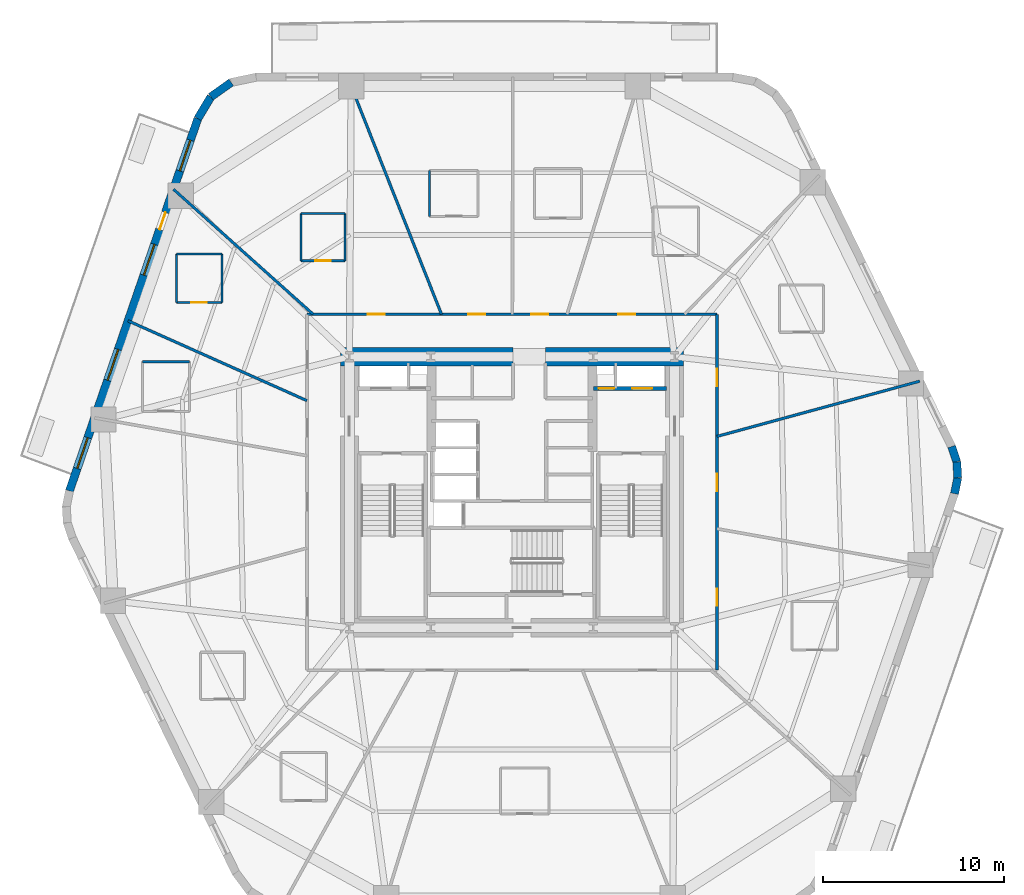
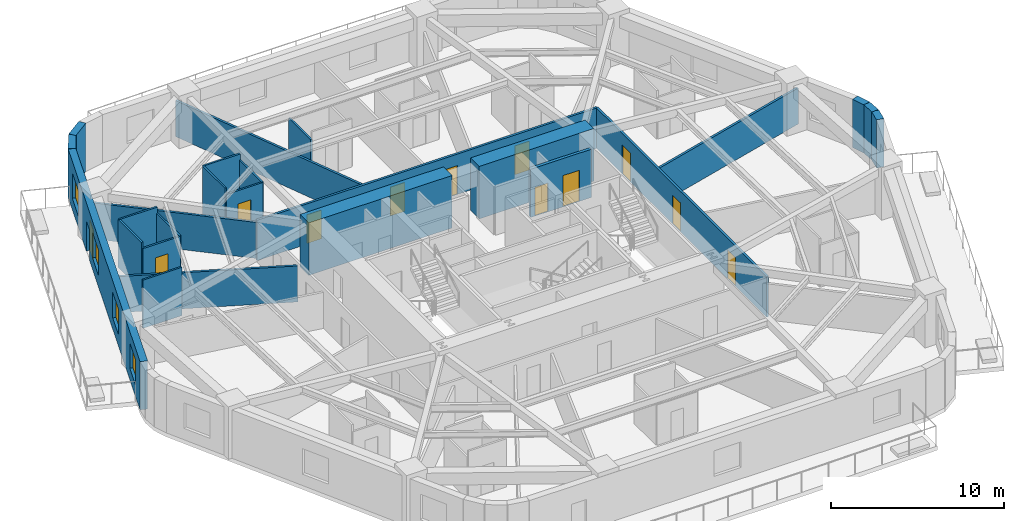
# One storey, part 5 of 10: 25 walls, 12 doors, 4 windows, 16 openings.
"""IFC4 building model written with IfcOpenShell, lengths in metres."""

from ifc_helpers import new_model, si_unit, direction, frame, frame_2d, origin, place, context, subcontext, project, spatial, rectangle, extrude, material, layer, layer_set, type_object, element, fill, save


model = new_model("IFC4")

# Units and contexts
model_context = context("Model", 3, precision=1e-05, world=origin(), true_north=direction((0.0, 1.0)))
body_context = subcontext(model_context, "Body", "Model", "MODEL_VIEW")
ifc_project = project(units=[si_unit("LENGTHUNIT", "METRE"), si_unit("AREAUNIT", "SQUARE_METRE"), si_unit("VOLUMEUNIT", "CUBIC_METRE"), si_unit("PLANEANGLEUNIT", "RADIAN"), si_unit("MASSUNIT", "GRAM", prefix="KILO")], contexts=[model_context])

# Site, building, storey
site_placement = place(None, origin())
site = spatial("IfcSite", under=ifc_project, at=site_placement, CompositionType="ELEMENT")
building_placement = place(site_placement, origin())
building = spatial("IfcBuilding", under=site, at=building_placement, Name="Kilnhurst Terrace Hotel", CompositionType="ELEMENT")
storey_placement = place(building_placement, frame((0.0, 0.0, 71.199951171875)))
storey = spatial("IfcBuildingStorey", under=building, at=storey_placement, Name="L16", CompositionType="ELEMENT", Elevation=71.199951171875)

# Walls
ifc_material_1 = material(Name="Precast concrete C40/50", Category="concrete")
ifc_layer_1 = layer(ifc_material_1, 0.449951171875, Name="Precast concrete C40/50")
ifc_layer_set_1 = layer_set([ifc_layer_1], Name="Precast concrete C40/50")
wall_type_1 = type_object("IfcWallType", Name="WL-BRK-450", PredefinedType="SOLIDWALL", material=ifc_layer_set_1)
wall_1_placement = place(storey_placement, frame((24.49560546875, -0.07666015625, 0.0), z_axis=(0.0, 0.0, 1.0), x_axis=(0.199570594521, 0.979883451132, 0.0)))
element("IfcWall", 1, at=wall_1_placement, inside=storey, type_object=wall_type_1, Name="L16 Rounded Corner Brick Wall C3.1", PredefinedType="SOLIDWALL", context=body_context, shape_type="SweptSolid", body=[
    extrude(rectangle(XDim=0.896728515625, YDim=0.449951171875, at=frame_2d((0.4482421875, 0.0))), origin(), (0.0, 0.0, 1.0), 3.400146484375),
])
wall_2_placement = place(storey_placement, frame((24.674560546875, 0.802001953125, 0.0), z_axis=(0.0, 0.0, 1.0), x_axis=(-0.061188874166, 0.998126205286, 0.0)))
element("IfcWall", 2, at=wall_2_placement, inside=storey, type_object=wall_type_1, Name="L16 Rounded Corner Brick Wall C3.2", PredefinedType="SOLIDWALL", context=body_context, shape_type="SweptSolid", body=[
    extrude(rectangle(XDim=0.8818359375, YDim=0.449951171875, at=frame_2d((0.44091796875, 0.0))), origin(), (0.0, 0.0, 1.0), 3.400146484375),
])
wall_3_placement = place(storey_placement, frame((24.62060546875, 1.68212890625, 0.0), z_axis=(0.0, 0.0, 1.0), x_axis=(-0.317697451681, 0.948192137278, 0.0)))
element("IfcWall", 3, at=wall_3_placement, inside=storey, type_object=wall_type_1, Name="L16 Rounded Corner Brick Wall C3.3", PredefinedType="SOLIDWALL", context=body_context, shape_type="SweptSolid", body=[
    extrude(rectangle(XDim=0.896728515625, YDim=0.449951171875, at=frame_2d((0.4482421875, 0.0))), origin(), (0.0, 0.0, 1.0), 3.400146484375),
])
wall_4_placement = place(storey_placement, frame((-15.5439453125, 22.68701171875, 0.0), z_axis=(0.0, 0.0, 1.0), x_axis=(-0.814210854316, -0.580569276412, 0.0)))
element("IfcWall", 4, at=wall_4_placement, inside=storey, type_object=wall_type_1, Name="L16 Rounded Corner Brick Wall C5.2", PredefinedType="SOLIDWALL", context=body_context, shape_type="SweptSolid", body=[
    extrude(rectangle(XDim=1.38134765625, YDim=0.449951171875, at=frame_2d((0.690673828125, 0.0))), origin(), (0.0, 0.0, 1.0), 3.400146484375),
])
wall_5_placement = place(storey_placement, frame((-16.668701171875, 21.885009765625, 0.0), z_axis=(0.0, 0.0, 1.0), x_axis=(-0.512936712947, -0.858426425799, 0.0)))
element("IfcWall", 5, at=wall_5_placement, inside=storey, type_object=wall_type_1, Name="L16 Rounded Corner Brick Wall C5.3", PredefinedType="SOLIDWALL", context=body_context, shape_type="SweptSolid", body=[
    extrude(rectangle(XDim=1.405517578125, YDim=0.449951171875, at=frame_2d((0.70263671875, 0.0))), origin(), (0.0, 0.0, 1.0), 3.400146484375),
])

# Wall, openings, door, windows
wall_6_placement = place(storey_placement, frame((-17.3896484375, 20.678466796875, 0.0), z_axis=(0.0, 0.0, 1.0), x_axis=(-0.326068018294, -0.945346310854, 0.0)))
wall_6 = element("IfcWall", 6, at=wall_6_placement, inside=storey, type_object=wall_type_1, Name="L16 Exterior Brick Facade Wall F5", PredefinedType="SOLIDWALL", context=body_context, shape_type="SweptSolid", body=[
    extrude(rectangle(XDim=21.79296875, YDim=0.449951171875, at=frame_2d((10.896484375, 0.0))), origin(), (0.0, 0.0, 1.0), 3.400146484375),
])
opening_1_placement = place(wall_6_placement, frame((5.492919921875, 0.0, 0.0)))
opening_1 = element("IfcOpeningElement", 7, at=opening_1_placement, cuts=wall_6, Name="Opening BD-1000", PredefinedType="OPENING", context=body_context, shape_type="SweptSolid", body=[
    extrude(rectangle(XDim=1.0, YDim=2.14990234375, at=frame_2d((0.5, 1.074951171875))), frame((0.0, 0.23486328125, 0.0), z_axis=(0.0, -1.0, 0.0), x_axis=(1.0, 0.0, 0.0)), (0.0, 0.0, 1.0), 0.469970703125),
])
opening_2_placement = place(wall_6_placement, frame((1.260009765625, 0.0, 0.800048828125)))
opening_2 = element("IfcOpeningElement", 8, at=opening_2_placement, cuts=wall_6, Name="Opening W-01", PredefinedType="OPENING", context=body_context, shape_type="SweptSolid", body=[
    extrude(rectangle(XDim=1.800048828125, YDim=1.800048828125, at=frame_2d((0.89990234375, 0.89990234375))), frame((0.0, 0.23486328125, 0.0), z_axis=(0.0, -1.0, 0.0), x_axis=(1.0, 0.0, 0.0)), (0.0, 0.0, 1.0), 0.469970703125),
])
opening_3_placement = place(wall_6_placement, frame((7.363037109375, 0.0, 0.800048828125)))
opening_3 = element("IfcOpeningElement", 9, at=opening_3_placement, cuts=wall_6, Name="Opening W-01", PredefinedType="OPENING", context=body_context, shape_type="SweptSolid", body=[
    extrude(rectangle(XDim=1.800048828125, YDim=1.800048828125, at=frame_2d((0.89990234375, 0.89990234375))), frame((0.0, 0.23486328125, 0.0), z_axis=(0.0, -1.0, 0.0), x_axis=(1.0, 0.0, 0.0)), (0.0, 0.0, 1.0), 0.469970703125),
])
opening_4_placement = place(wall_6_placement, frame((13.51806640625, 0.0, 0.800048828125)))
opening_4 = element("IfcOpeningElement", 10, at=opening_4_placement, cuts=wall_6, Name="Opening W-01", PredefinedType="OPENING", context=body_context, shape_type="SweptSolid", body=[
    extrude(rectangle(XDim=1.800048828125, YDim=1.800048828125, at=frame_2d((0.89990234375, 0.89990234375))), frame((0.0, 0.23486328125, 0.0), z_axis=(0.0, -1.0, 0.0), x_axis=(1.0, 0.0, 0.0)), (0.0, 0.0, 1.0), 0.469970703125),
])
opening_5_placement = place(wall_6_placement, frame((18.679931640625, 0.0, 0.800048828125)))
opening_5 = element("IfcOpeningElement", 11, at=opening_5_placement, cuts=wall_6, Name="Opening W-01", PredefinedType="OPENING", context=body_context, shape_type="SweptSolid", body=[
    extrude(rectangle(XDim=1.800048828125, YDim=1.800048828125, at=frame_2d((0.89990234375, 0.89990234375))), frame((0.0, 0.23486328125, 0.0), z_axis=(0.0, -1.0, 0.0), x_axis=(1.0, 0.0, 0.0)), (0.0, 0.0, 1.0), 0.469970703125),
])
ifc_material_2 = material(Name="Thermally Broken Bronze Aluminium Alloy 6063-T6 and Laminated Glass", Category="aluminium")
door_type_1 = type_object("IfcDoorType", Name="DR-EXT-BAL-1000", OperationType="NOTDEFINED", PredefinedType="DOOR", material=ifc_material_2)
door_1_placement = place(opening_1_placement, origin())
door_1 = element("IfcDoor", 12, at=door_1_placement, inside=storey, type_object=door_type_1, Name="L16 Planted Balcony Door BAL-L2B", OperationType="SINGLE_SWING_LEFT", OverallHeight=2.14990234375, OverallWidth=1.0, PredefinedType="DOOR", context=body_context, shape_type="SweptSolid", body=[
    extrude(rectangle(XDim=1.0, YDim=2.14990234375, at=frame_2d((0.5, 1.074951171875))), frame((0.0, 0.02490234375, 0.0), z_axis=(0.0, -1.0, 0.0), x_axis=(1.0, 0.0, 0.0)), (0.0, 0.0, 1.0), 0.050048828125),
])
fill(opening_1, door_1)
ifc_material_3 = material(Name="Thermally Broken Bronze Aluminium Alloy 6063-T6 and Low-E Glass", Category="aluminium")
window_type = type_object("IfcWindowType", Name="WIN-1800X1800", PartitioningType="SINGLE_PANEL", PredefinedType="WINDOW", material=ifc_material_3)
window_1_placement = place(opening_2_placement, origin())
window_1 = element("IfcWindow", 13, at=window_1_placement, inside=storey, type_object=window_type, Name="L16 Deep-Set Masonry Window F5.1", OverallHeight=1.800048828125, OverallWidth=1.800048828125, PartitioningType="SINGLE_PANEL", PredefinedType="WINDOW", context=body_context, shape_type="SweptSolid", body=[
    extrude(rectangle(XDim=1.800048828125, YDim=1.800048828125, at=frame_2d((0.89990234375, 0.89990234375))), frame((0.0, 0.030029296875, 0.0), z_axis=(0.0, -1.0, 0.0), x_axis=(1.0, 0.0, 0.0)), (0.0, 0.0, 1.0), 0.06005859375),
])
fill(opening_2, window_1)
window_2_placement = place(opening_3_placement, origin())
window_2 = element("IfcWindow", 14, at=window_2_placement, inside=storey, type_object=window_type, Name="L16 Deep-Set Masonry Window F5.2", OverallHeight=1.800048828125, OverallWidth=1.800048828125, PartitioningType="SINGLE_PANEL", PredefinedType="WINDOW", context=body_context, shape_type="SweptSolid", body=[
    extrude(rectangle(XDim=1.800048828125, YDim=1.800048828125, at=frame_2d((0.89990234375, 0.89990234375))), frame((0.0, 0.030029296875, 0.0), z_axis=(0.0, -1.0, 0.0), x_axis=(1.0, 0.0, 0.0)), (0.0, 0.0, 1.0), 0.06005859375),
])
fill(opening_3, window_2)
window_3_placement = place(opening_4_placement, origin())
window_3 = element("IfcWindow", 15, at=window_3_placement, inside=storey, type_object=window_type, Name="L16 Deep-Set Masonry Window F5.3", OverallHeight=1.800048828125, OverallWidth=1.800048828125, PartitioningType="SINGLE_PANEL", PredefinedType="WINDOW", context=body_context, shape_type="SweptSolid", body=[
    extrude(rectangle(XDim=1.800048828125, YDim=1.800048828125, at=frame_2d((0.89990234375, 0.89990234375))), frame((0.0, 0.030029296875, 0.0), z_axis=(0.0, -1.0, 0.0), x_axis=(1.0, 0.0, 0.0)), (0.0, 0.0, 1.0), 0.06005859375),
])
fill(opening_4, window_3)
window_4_placement = place(opening_5_placement, origin())
window_4 = element("IfcWindow", 16, at=window_4_placement, inside=storey, type_object=window_type, Name="L16 Deep-Set Masonry Window F5.4", OverallHeight=1.800048828125, OverallWidth=1.800048828125, PartitioningType="SINGLE_PANEL", PredefinedType="WINDOW", context=body_context, shape_type="SweptSolid", body=[
    extrude(rectangle(XDim=1.800048828125, YDim=1.800048828125, at=frame_2d((0.89990234375, 0.89990234375))), frame((0.0, 0.030029296875, 0.0), z_axis=(0.0, -1.0, 0.0), x_axis=(1.0, 0.0, 0.0)), (0.0, 0.0, 1.0), 0.06005859375),
])
fill(opening_5, window_4)

# Wall, openings, doors
ifc_material_4 = material(Name="Acoustic Double-Gypsum Corridor Partition Assembly")
ifc_layer_2 = layer(ifc_material_4, 0.14990234375, Name="Acoustic Double-Gypsum Corridor Partition Assembly")
ifc_layer_set_2 = layer_set([ifc_layer_2], Name="Acoustic Double-Gypsum Corridor Partition Assembly")
wall_type_2 = type_object("IfcWallType", Name="WL-COR-150", PredefinedType="PARTITIONING", material=ifc_layer_set_2)
wall_7_placement = place(storey_placement, frame((-11.35009765625, 9.85009765625, 0.0), z_axis=(0.0, 0.0, 1.0), x_axis=(1.0, 0.0, 0.0)))
wall_7 = element("IfcWall", 17, at=wall_7_placement, inside=storey, type_object=wall_type_2, Name="L16 Interior Wall WL-L16-COR-02", PredefinedType="PARTITIONING", context=body_context, shape_type="SweptSolid", body=[
    extrude(rectangle(XDim=22.7001953125, YDim=0.14990234375, at=frame_2d((11.35009765625, 0.0))), origin(), (0.0, 0.0, 1.0), 2.840087890625),
])
opening_6_placement = place(wall_7_placement, frame((17.22509765625, 0.0, 0.0)))
opening_6 = element("IfcOpeningElement", 18, at=opening_6_placement, cuts=wall_7, Name="Opening D-60B", PredefinedType="OPENING", context=body_context, shape_type="SweptSolid", body=[
    extrude(rectangle(XDim=0.949951171875, YDim=2.030029296875, at=frame_2d((0.47509765625, 1.01513671875))), frame((0.0, 0.0849609375, 0.0), z_axis=(0.0, -1.0, 0.0), x_axis=(1.0, 0.0, 0.0)), (0.0, 0.0, 1.0), 0.169921875),
])
opening_7_placement = place(wall_7_placement, frame((12.4150390625, 0.0, 0.0)))
opening_7 = element("IfcOpeningElement", 19, at=opening_7_placement, cuts=wall_7, Name="Opening D-60B", PredefinedType="OPENING", context=body_context, shape_type="SweptSolid", body=[
    extrude(rectangle(XDim=0.949951171875, YDim=2.030029296875, at=frame_2d((0.47509765625, 1.01513671875))), frame((0.0, 0.0849609375, 0.0), z_axis=(0.0, -1.0, 0.0), x_axis=(1.0, 0.0, 0.0)), (0.0, 0.0, 1.0), 0.169921875),
])
opening_8_placement = place(wall_7_placement, frame((8.925048828125, 0.0, 0.0)))
opening_8 = element("IfcOpeningElement", 20, at=opening_8_placement, cuts=wall_7, Name="Opening D-60B", PredefinedType="OPENING", context=body_context, shape_type="SweptSolid", body=[
    extrude(rectangle(XDim=0.949951171875, YDim=2.030029296875, at=frame_2d((0.47509765625, 1.01513671875))), frame((0.0, 0.0849609375, 0.0), z_axis=(0.0, -1.0, 0.0), x_axis=(1.0, 0.0, 0.0)), (0.0, 0.0, 1.0), 0.169921875),
])
opening_9_placement = place(wall_7_placement, frame((3.368896484375, 0.0, 0.0)))
opening_9 = element("IfcOpeningElement", 21, at=opening_9_placement, cuts=wall_7, Name="Opening D-60B", PredefinedType="OPENING", context=body_context, shape_type="SweptSolid", body=[
    extrude(rectangle(XDim=0.949951171875, YDim=2.030029296875, at=frame_2d((0.47509765625, 1.01513671875))), frame((0.0, 0.0849609375, 0.0), z_axis=(0.0, -1.0, 0.0), x_axis=(1.0, 0.0, 0.0)), (0.0, 0.0, 1.0), 0.169921875),
])
ifc_material_5 = material(Name="Acoustic Walnut Veneer Solid-Core Fire Door")
door_type_2 = type_object("IfcDoorType", Name="DR-FD60-950", OperationType="NOTDEFINED", PredefinedType="DOOR", material=ifc_material_5)
door_2_placement = place(opening_6_placement, origin())
door_2 = element("IfcDoor", 22, at=door_2_placement, inside=storey, type_object=door_type_2, Name="L16 Executive Suite Entry Door 2", OperationType="SINGLE_SWING_RIGHT", OverallHeight=2.030029296875, OverallWidth=0.949951171875, PredefinedType="DOOR", context=body_context, shape_type="SweptSolid", body=[
    extrude(rectangle(XDim=0.949951171875, YDim=2.030029296875, at=frame_2d((0.47509765625, 1.01513671875))), frame((0.0, 0.02490234375, 0.0), z_axis=(0.0, -1.0, 0.0), x_axis=(1.0, 0.0, 0.0)), (0.0, 0.0, 1.0), 0.050048828125),
])
fill(opening_6, door_2)
door_3_placement = place(opening_7_placement, origin())
door_3 = element("IfcDoor", 23, at=door_3_placement, inside=storey, type_object=door_type_2, Name="L16 Guest Room Entry Door 3", OperationType="SINGLE_SWING_LEFT", OverallHeight=2.030029296875, OverallWidth=0.949951171875, PredefinedType="DOOR", context=body_context, shape_type="SweptSolid", body=[
    extrude(rectangle(XDim=0.949951171875, YDim=2.030029296875, at=frame_2d((0.47509765625, 1.01513671875))), frame((0.0, 0.02490234375, 0.0), z_axis=(0.0, -1.0, 0.0), x_axis=(1.0, 0.0, 0.0)), (0.0, 0.0, 1.0), 0.050048828125),
])
fill(opening_7, door_3)
door_4_placement = place(opening_8_placement, origin())
door_4 = element("IfcDoor", 24, at=door_4_placement, inside=storey, type_object=door_type_2, Name="L16 Executive Suite Entry Door 4", OperationType="SINGLE_SWING_RIGHT", OverallHeight=2.030029296875, OverallWidth=0.949951171875, PredefinedType="DOOR", context=body_context, shape_type="SweptSolid", body=[
    extrude(rectangle(XDim=0.949951171875, YDim=2.030029296875, at=frame_2d((0.47509765625, 1.01513671875))), frame((0.0, 0.02490234375, 0.0), z_axis=(0.0, -1.0, 0.0), x_axis=(1.0, 0.0, 0.0)), (0.0, 0.0, 1.0), 0.050048828125),
])
fill(opening_8, door_4)
door_5_placement = place(opening_9_placement, origin())
door_5 = element("IfcDoor", 25, at=door_5_placement, inside=storey, type_object=door_type_2, Name="L16 Executive Suite Entry Door 5", OperationType="SINGLE_SWING_LEFT", OverallHeight=2.030029296875, OverallWidth=0.949951171875, PredefinedType="DOOR", context=body_context, shape_type="SweptSolid", body=[
    extrude(rectangle(XDim=0.949951171875, YDim=2.030029296875, at=frame_2d((0.47509765625, 1.01513671875))), frame((0.0, 0.02490234375, 0.0), z_axis=(0.0, -1.0, 0.0), x_axis=(1.0, 0.0, 0.0)), (0.0, 0.0, 1.0), 0.050048828125),
])
fill(opening_9, door_5)

wall_8_placement = place(storey_placement, frame((11.35009765625, 9.85009765625, 0.0), z_axis=(0.0, 0.0, 1.0), x_axis=(0.0, -1.0, 0.0)))
wall_8 = element("IfcWall", 26, at=wall_8_placement, inside=storey, type_object=wall_type_2, Name="L16 Interior Wall WL-L16-COR-03", PredefinedType="PARTITIONING", context=body_context, shape_type="SweptSolid", body=[
    extrude(rectangle(XDim=19.7001953125, YDim=0.14990234375, at=frame_2d((9.85009765625, 0.0))), origin(), (0.0, 0.0, 1.0), 2.840087890625),
])
opening_10_placement = place(wall_8_placement, frame((3.02392578125, 0.0, 0.0)))
opening_10 = element("IfcOpeningElement", 27, at=opening_10_placement, cuts=wall_8, Name="Opening D-60B", PredefinedType="OPENING", context=body_context, shape_type="SweptSolid", body=[
    extrude(rectangle(XDim=0.949951171875, YDim=2.030029296875, at=frame_2d((0.47509765625, 1.01513671875))), frame((0.0, 0.0849609375, 0.0), z_axis=(0.0, -1.0, 0.0), x_axis=(1.0, 0.0, 0.0)), (0.0, 0.0, 1.0), 0.169921875),
])
opening_11_placement = place(wall_8_placement, frame((15.19091796875, 0.0, 0.0)))
opening_11 = element("IfcOpeningElement", 28, at=opening_11_placement, cuts=wall_8, Name="Opening D-60B", PredefinedType="OPENING", context=body_context, shape_type="SweptSolid", body=[
    extrude(rectangle(XDim=0.949951171875, YDim=2.030029296875, at=frame_2d((0.47509765625, 1.01513671875))), frame((0.0, 0.0849609375, 0.0), z_axis=(0.0, -1.0, 0.0), x_axis=(1.0, 0.0, 0.0)), (0.0, 0.0, 1.0), 0.169921875),
])
opening_12_placement = place(wall_8_placement, frame((8.837890625, 0.0, 0.0)))
opening_12 = element("IfcOpeningElement", 29, at=opening_12_placement, cuts=wall_8, Name="Opening D-60B", PredefinedType="OPENING", context=body_context, shape_type="SweptSolid", body=[
    extrude(rectangle(XDim=0.949951171875, YDim=2.030029296875, at=frame_2d((0.47509765625, 1.01513671875))), frame((0.0, 0.0849609375, 0.0), z_axis=(0.0, -1.0, 0.0), x_axis=(1.0, 0.0, 0.0)), (0.0, 0.0, 1.0), 0.169921875),
])
door_6_placement = place(opening_10_placement, origin())
door_6 = element("IfcDoor", 30, at=door_6_placement, inside=storey, type_object=door_type_2, Name="L16 Executive Suite Entry Door 1", OperationType="SINGLE_SWING_LEFT", OverallHeight=2.030029296875, OverallWidth=0.949951171875, PredefinedType="DOOR", context=body_context, shape_type="SweptSolid", body=[
    extrude(rectangle(XDim=0.949951171875, YDim=2.030029296875, at=frame_2d((0.47509765625, 1.01513671875))), frame((0.0, 0.02490234375, 0.0), z_axis=(0.0, -1.0, 0.0), x_axis=(1.0, 0.0, 0.0)), (0.0, 0.0, 1.0), 0.050048828125),
])
fill(opening_10, door_6)
door_7_placement = place(opening_11_placement, origin())
door_7 = element("IfcDoor", 31, at=door_7_placement, inside=storey, type_object=door_type_2, Name="L16 Executive Suite Entry Door 14", OperationType="SINGLE_SWING_RIGHT", OverallHeight=2.030029296875, OverallWidth=0.949951171875, PredefinedType="DOOR", context=body_context, shape_type="SweptSolid", body=[
    extrude(rectangle(XDim=0.949951171875, YDim=2.030029296875, at=frame_2d((0.47509765625, 1.01513671875))), frame((0.0, 0.02490234375, 0.0), z_axis=(0.0, -1.0, 0.0), x_axis=(1.0, 0.0, 0.0)), (0.0, 0.0, 1.0), 0.050048828125),
])
fill(opening_11, door_7)
door_8_placement = place(opening_12_placement, origin())
door_8 = element("IfcDoor", 32, at=door_8_placement, inside=storey, type_object=door_type_2, Name="L16 Reading Study Door", OperationType="SINGLE_SWING_LEFT", OverallHeight=2.030029296875, OverallWidth=0.949951171875, PredefinedType="DOOR", context=body_context, shape_type="SweptSolid", body=[
    extrude(rectangle(XDim=0.949951171875, YDim=2.030029296875, at=frame_2d((0.47509765625, 1.01513671875))), frame((0.0, 0.02490234375, 0.0), z_axis=(0.0, -1.0, 0.0), x_axis=(1.0, 0.0, 0.0)), (0.0, 0.0, 1.0), 0.050048828125),
])
fill(opening_12, door_8)

# Walls
ifc_material_6 = material(Name="Concrete C80/95", Category="concrete")
ifc_layer_3 = layer(ifc_material_6, 1.0, Name="Concrete C80/95")
ifc_layer_set_3 = layer_set([ifc_layer_3], Name="Concrete C80/95")
wall_type_3 = type_object("IfcWallType", Name="WL-CORE-1000", PredefinedType="SHEAR", material=ifc_layer_set_3)
wall_9_placement = place(storey_placement, frame((-9.5, 7.5, 0.0), z_axis=(0.0, 0.0, 1.0), x_axis=(1.0, 0.0, 0.0)))
element("IfcWall", 33, at=wall_9_placement, inside=storey, type_object=wall_type_3, Name="L16 Core North West Shear Wall", PredefinedType="SHEAR", context=body_context, shape_type="SweptSolid", body=[
    extrude(rectangle(XDim=9.550048828125, YDim=1.0, at=frame_2d((4.77490234375, 0.0))), origin(), (0.0, 0.0, 1.0), 3.699951171875),
])
wall_10_placement = place(storey_placement, frame((1.85009765625, 7.5, 0.0), z_axis=(0.0, 0.0, 1.0), x_axis=(1.0, 0.0, 0.0)))
element("IfcWall", 34, at=wall_10_placement, inside=storey, type_object=wall_type_3, Name="L16 Core North East Shear Wall", PredefinedType="SHEAR", context=body_context, shape_type="SweptSolid", body=[
    extrude(rectangle(XDim=7.64990234375, YDim=1.0, at=frame_2d((3.824951171875, 0.0))), origin(), (0.0, 0.0, 1.0), 3.699951171875),
])
ifc_material_7 = material(Name="STC-58 Acoustic Twin-Frame Guestroom Demising Partition")
ifc_layer_4 = layer(ifc_material_7, 0.14990234375, Name="STC-58 Acoustic Twin-Frame Guestroom Demising Partition")
ifc_layer_set_4 = layer_set([ifc_layer_4], Name="STC-58 Acoustic Twin-Frame Guestroom Demising Partition")
wall_type_4 = type_object("IfcWallType", Name="WL-DEM-150", PredefinedType="PARTITIONING", material=ifc_layer_set_4)
wall_11_placement = place(storey_placement, frame((11.35009765625, 3.0908203125, 0.0), z_axis=(0.0, 0.0, 1.0), x_axis=(0.964859685283, 0.262765651704, 0.0)))
element("IfcWall", 35, at=wall_11_placement, inside=storey, type_object=wall_type_4, Name="L16 Interior Wall WL-L16-DEM-COL01-01-1", PredefinedType="PARTITIONING", context=body_context, shape_type="SweptSolid", body=[
    extrude(rectangle(XDim=11.62890625, YDim=0.14990234375, at=frame_2d((5.814453125, 0.0))), origin(), (0.0, 0.0, 1.0), 2.5400390625),
])
wall_12_placement = place(storey_placement, frame((-3.90185546875, 9.85009765625, 0.0), z_axis=(0.0, 0.0, 1.0), x_axis=(-0.36828765711, 0.929711891728, 0.0)))
element("IfcWall", 36, at=wall_12_placement, inside=storey, type_object=wall_type_4, Name="L16 Interior Wall WL-L16-DEM-COL04-05-1", PredefinedType="PARTITIONING", context=body_context, shape_type="SweptSolid", body=[
    extrude(rectangle(XDim=14.1171875, YDim=0.14990234375, at=frame_2d((7.05859375, 0.0))), origin(), (0.0, 0.0, 1.0), 2.5400390625),
])
wall_13_placement = place(storey_placement, frame((-11.006591796875, 9.85009765625, 0.0), z_axis=(0.0, 0.0, 1.0), x_axis=(-0.745177305978, 0.666866390407, 0.0)))
element("IfcWall", 37, at=wall_13_placement, inside=storey, type_object=wall_type_4, Name="L16 Interior Wall WL-L16-DEM-COL05-06-1", PredefinedType="PARTITIONING", context=body_context, shape_type="SweptSolid", body=[
    extrude(rectangle(XDim=10.375244140625, YDim=0.14990234375, at=frame_2d((5.1875, 0.0))), origin(), (0.0, 0.0, 1.0), 2.5400390625),
])
wall_14_placement = place(storey_placement, frame((-11.35009765625, 5.068115234375, 0.0), z_axis=(0.0, 0.0, 1.0), x_axis=(-0.913107192911, 0.407719577963, 0.0)))
element("IfcWall", 38, at=wall_14_placement, inside=storey, type_object=wall_type_4, Name="L16 Interior Wall WL-L16-DEM-MID05-07-1", PredefinedType="PARTITIONING", context=body_context, shape_type="SweptSolid", body=[
    extrude(rectangle(XDim=10.84130859375, YDim=0.14990234375, at=frame_2d((5.420654296875, 0.0))), origin(), (0.0, 0.0, 1.0), 2.5400390625),
])
ifc_material_8 = material(Name="120 mm Moisture-Resistant Tile-Backed Bathroom Partition")
ifc_layer_5 = layer(ifc_material_8, 0.1201171875, Name="120 mm Moisture-Resistant Tile-Backed Bathroom Partition")
ifc_layer_set_5 = layer_set([ifc_layer_5], Name="120 mm Moisture-Resistant Tile-Backed Bathroom Partition")
wall_type_5 = type_object("IfcWallType", Name="WL-PART-120", PredefinedType="PARTITIONING", material=ifc_layer_set_5)
wall_15_placement = place(storey_placement, frame((-4.55908203125, 17.806884765625, 0.0), z_axis=(0.0, 0.0, 1.0), x_axis=(0.0, -1.0, 0.0)))
element("IfcWall", 39, at=wall_15_placement, inside=storey, type_object=wall_type_5, Name="L16 Interior Wall WL-L16-BTH-04-4", PredefinedType="PARTITIONING", context=body_context, shape_type="SweptSolid", body=[
    extrude(rectangle(XDim=2.539794921875, YDim=0.1201171875, at=frame_2d((1.27001953125, 0.0))), origin(), (0.0, 0.0, 1.0), 2.84033203125),
])

# Wall, opening, door
wall_16_placement = place(storey_placement, frame((-11.681884765625, 12.81298828125, 0.0), z_axis=(0.0, 0.0, 1.0), x_axis=(1.0, 0.0, 0.0)))
wall_16 = element("IfcWall", 40, at=wall_16_placement, inside=storey, type_object=wall_type_5, Name="L16 Interior Wall WL-L16-BTH-05-1", PredefinedType="PARTITIONING", context=body_context, shape_type="SweptSolid", body=[
    extrude(rectangle(XDim=2.43994140625, YDim=0.1201171875, at=frame_2d((1.219970703125, 0.0))), origin(), (0.0, 0.0, 1.0), 2.972412109375),
])
opening_13_placement = place(wall_16_placement, frame((0.794921875, 0.0, 0.0)))
opening_13 = element("IfcOpeningElement", 41, at=opening_13_placement, cuts=wall_16, Name="Opening D-08A", PredefinedType="OPENING", context=body_context, shape_type="SweptSolid", body=[
    extrude(rectangle(XDim=0.85009765625, YDim=2.030029296875, at=frame_2d((0.425048828125, 1.01513671875))), frame((0.0, 0.070068359375, 0.0), z_axis=(0.0, -1.0, 0.0), x_axis=(1.0, 0.0, 0.0)), (0.0, 0.0, 1.0), 0.14013671875),
])
ifc_material_9 = material(Name="Moisture-Resistant Lacquered En-suite Bathroom Door")
door_type_3 = type_object("IfcDoorType", Name="DR-INT-850", OperationType="NOTDEFINED", PredefinedType="DOOR", material=ifc_material_9)
door_9_placement = place(opening_13_placement, origin())
door_9 = element("IfcDoor", 42, at=door_9_placement, inside=storey, type_object=door_type_3, Name="L16 En-suite Bathroom Door 5", OperationType="SINGLE_SWING_RIGHT", OverallHeight=2.030029296875, OverallWidth=0.85009765625, PredefinedType="DOOR", context=body_context, shape_type="SweptSolid", body=[
    extrude(rectangle(XDim=0.85009765625, YDim=2.030029296875, at=frame_2d((0.425048828125, 1.01513671875))), frame((0.0, 0.02490234375, 0.0), z_axis=(0.0, -1.0, 0.0), x_axis=(1.0, 0.0, 0.0)), (0.0, 0.0, 1.0), 0.050048828125),
])
fill(opening_13, door_9)

# Walls
wall_17_placement = place(storey_placement, frame((-9.241943359375, 12.81298828125, 0.0), z_axis=(0.0, 0.0, 1.0), x_axis=(0.0, 1.0, 0.0)))
element("IfcWall", 43, at=wall_17_placement, inside=storey, type_object=wall_type_5, Name="L16 Interior Wall WL-L16-BTH-05-2", PredefinedType="PARTITIONING", context=body_context, shape_type="SweptSolid", body=[
    extrude(rectangle(XDim=2.610107421875, YDim=0.1201171875, at=frame_2d((1.30517578125, 0.0))), origin(), (0.0, 0.0, 1.0), 2.972412109375),
])
wall_18_placement = place(storey_placement, frame((-9.241943359375, 15.423095703125, 0.0), z_axis=(0.0, 0.0, 1.0), x_axis=(-1.0, 0.0, 0.0)))
element("IfcWall", 44, at=wall_18_placement, inside=storey, type_object=wall_type_5, Name="L16 Interior Wall WL-L16-BTH-05-3", PredefinedType="PARTITIONING", context=body_context, shape_type="SweptSolid", body=[
    extrude(rectangle(XDim=2.43994140625, YDim=0.1201171875, at=frame_2d((1.219970703125, 0.0))), origin(), (0.0, 0.0, 1.0), 3.400146484375),
])
wall_19_placement = place(storey_placement, frame((-11.681884765625, 15.423095703125, 0.0), z_axis=(0.0, 0.0, 1.0), x_axis=(0.0, -1.0, 0.0)))
element("IfcWall", 45, at=wall_19_placement, inside=storey, type_object=wall_type_5, Name="L16 Interior Wall WL-L16-BTH-05-4", PredefinedType="PARTITIONING", context=body_context, shape_type="SweptSolid", body=[
    extrude(rectangle(XDim=2.610107421875, YDim=0.1201171875, at=frame_2d((1.30517578125, 0.0))), origin(), (0.0, 0.0, 1.0), 3.400146484375),
])

# Wall, opening, door
wall_20_placement = place(storey_placement, frame((-18.5791015625, 10.50390625, 0.0), z_axis=(0.0, 0.0, 1.0), x_axis=(1.0, 0.0, 0.0)))
wall_20 = element("IfcWall", 46, at=wall_20_placement, inside=storey, type_object=wall_type_5, Name="L16 Interior Wall WL-L16-BTH-06-1", PredefinedType="PARTITIONING", context=body_context, shape_type="SweptSolid", body=[
    extrude(rectangle(XDim=2.52001953125, YDim=0.1201171875, at=frame_2d((1.260009765625, 0.0))), origin(), (0.0, 0.0, 1.0), 2.972412109375),
])
opening_14_placement = place(wall_20_placement, frame((0.8349609375, 0.0, 0.0)))
opening_14 = element("IfcOpeningElement", 47, at=opening_14_placement, cuts=wall_20, Name="Opening D-08A", PredefinedType="OPENING", context=body_context, shape_type="SweptSolid", body=[
    extrude(rectangle(XDim=0.85009765625, YDim=2.030029296875, at=frame_2d((0.425048828125, 1.01513671875))), frame((0.0, 0.070068359375, 0.0), z_axis=(0.0, -1.0, 0.0), x_axis=(1.0, 0.0, 0.0)), (0.0, 0.0, 1.0), 0.14013671875),
])
door_10_placement = place(opening_14_placement, origin())
door_10 = element("IfcDoor", 48, at=door_10_placement, inside=storey, type_object=door_type_3, Name="L16 En-suite Bathroom Door 6", OperationType="SINGLE_SWING_LEFT", OverallHeight=2.030029296875, OverallWidth=0.85009765625, PredefinedType="DOOR", context=body_context, shape_type="SweptSolid", body=[
    extrude(rectangle(XDim=0.85009765625, YDim=2.030029296875, at=frame_2d((0.425048828125, 1.01513671875))), frame((0.0, 0.02490234375, 0.0), z_axis=(0.0, -1.0, 0.0), x_axis=(1.0, 0.0, 0.0)), (0.0, 0.0, 1.0), 0.050048828125),
])
fill(opening_14, door_10)

# Walls
wall_21_placement = place(storey_placement, frame((-16.05908203125, 10.50390625, 0.0), z_axis=(0.0, 0.0, 1.0), x_axis=(0.0, 1.0, 0.0)))
element("IfcWall", 49, at=wall_21_placement, inside=storey, type_object=wall_type_5, Name="L16 Interior Wall WL-L16-BTH-06-2", PredefinedType="PARTITIONING", context=body_context, shape_type="SweptSolid", body=[
    extrude(rectangle(XDim=2.68017578125, YDim=0.1201171875, at=frame_2d((1.340087890625, 0.0))), origin(), (0.0, 0.0, 1.0), 2.972412109375),
])
wall_22_placement = place(storey_placement, frame((-16.05908203125, 13.18408203125, 0.0), z_axis=(0.0, 0.0, 1.0), x_axis=(-1.0, 0.0, 0.0)))
element("IfcWall", 50, at=wall_22_placement, inside=storey, type_object=wall_type_5, Name="L16 Interior Wall WL-L16-BTH-06-3", PredefinedType="PARTITIONING", context=body_context, shape_type="SweptSolid", body=[
    extrude(rectangle(XDim=2.52001953125, YDim=0.1201171875, at=frame_2d((1.260009765625, 0.0))), origin(), (0.0, 0.0, 1.0), 3.400146484375),
])
wall_23_placement = place(storey_placement, frame((-18.5791015625, 13.18408203125, 0.0), z_axis=(0.0, 0.0, 1.0), x_axis=(0.0, -1.0, 0.0)))
element("IfcWall", 51, at=wall_23_placement, inside=storey, type_object=wall_type_5, Name="L16 Interior Wall WL-L16-BTH-06-4", PredefinedType="PARTITIONING", context=body_context, shape_type="SweptSolid", body=[
    extrude(rectangle(XDim=2.68017578125, YDim=0.1201171875, at=frame_2d((1.340087890625, 0.0))), origin(), (0.0, 0.0, 1.0), 3.400146484375),
])
wall_24_placement = place(storey_placement, frame((-17.84912109375, 7.22412109375, 0.0), z_axis=(0.0, 0.0, 1.0), x_axis=(-1.0, 0.0, 0.0)))
element("IfcWall", 52, at=wall_24_placement, inside=storey, type_object=wall_type_5, Name="L16 Interior Wall WL-L16-BTH-07-3", PredefinedType="PARTITIONING", context=body_context, shape_type="SweptSolid", body=[
    extrude(rectangle(XDim=2.599853515625, YDim=0.1201171875, at=frame_2d((1.2998046875, 0.0))), origin(), (0.0, 0.0, 1.0), 3.400146484375),
])

# Wall, openings, doors
ifc_material_10 = material(Name="Autoclaved Aerated Concrete C30/37 and Gypsum Shaft Assembly", Category="concrete")
ifc_layer_6 = layer(ifc_material_10, 0.199951171875, Name="Autoclaved Aerated Concrete C30/37 and Gypsum Shaft Assembly")
ifc_layer_set_6 = layer_set([ifc_layer_6], Name="Autoclaved Aerated Concrete C30/37 and Gypsum Shaft Assembly")
wall_type_6 = type_object("IfcWallType", Name="WL-SHAFT-200", PredefinedType="PARTITIONING", material=ifc_layer_set_6)
wall_25_placement = place(storey_placement, frame((4.5, 5.739990234375, 0.0), z_axis=(0.0, 0.0, 1.0), x_axis=(1.0, 0.0, 0.0)))
wall_25 = element("IfcWall", 53, at=wall_25_placement, inside=storey, type_object=wall_type_6, Name="L16 Interior Wall WL-L16-FSAE2-S", PredefinedType="PARTITIONING", context=body_context, shape_type="SweptSolid", body=[
    extrude(rectangle(XDim=4.050048828125, YDim=0.199951171875, at=frame_2d((2.02490234375, 0.0))), origin(), (0.0, 0.0, 1.0), 3.400146484375),
])
opening_15_placement = place(wall_25_placement, frame((0.300048828125, 0.0, 0.0)))
opening_15 = element("IfcOpeningElement", 54, at=opening_15_placement, cuts=wall_25, Name="Opening D-60D", PredefinedType="OPENING", context=body_context, shape_type="SweptSolid", body=[
    extrude(rectangle(XDim=0.85009765625, YDim=2.030029296875, at=frame_2d((0.425048828125, 1.01513671875))), frame((0.0, 0.10986328125, 0.0), z_axis=(0.0, -1.0, 0.0), x_axis=(1.0, 0.0, 0.0)), (0.0, 0.0, 1.0), 0.219970703125),
])
opening_16_placement = place(wall_25_placement, frame((2.14990234375, 0.0, 0.0)))
opening_16 = element("IfcOpeningElement", 55, at=opening_16_placement, cuts=wall_25, Name="Opening LD-F2", PredefinedType="OPENING", context=body_context, shape_type="SweptSolid", body=[
    extrude(rectangle(XDim=1.10009765625, YDim=2.199951171875, at=frame_2d((0.550048828125, 1.10009765625))), frame((0.0, 0.10986328125, 0.0), z_axis=(0.0, -1.0, 0.0), x_axis=(1.0, 0.0, 0.0)), (0.0, 0.0, 1.0), 0.219970703125),
])
ifc_material_11 = material(Name="Painted Hollow Metal Steel ASTM A36 Riser Door", Category="steel")
door_type_4 = type_object("IfcDoorType", Name="DR-FD60-850", OperationType="NOTDEFINED", PredefinedType="DOOR", material=ifc_material_11)
door_11_placement = place(opening_15_placement, origin())
door_11 = element("IfcDoor", 56, at=door_11_placement, inside=storey, type_object=door_type_4, Name="L16 Telecom Riser Door", OperationType="SINGLE_SWING_RIGHT", OverallHeight=2.030029296875, OverallWidth=0.85009765625, PredefinedType="DOOR", context=body_context, shape_type="SweptSolid", body=[
    extrude(rectangle(XDim=0.85009765625, YDim=2.030029296875, at=frame_2d((0.425048828125, 1.01513671875))), frame((0.0, 0.02490234375, 0.0), z_axis=(0.0, -1.0, 0.0), x_axis=(1.0, 0.0, 0.0)), (0.0, 0.0, 1.0), 0.050048828125),
])
fill(opening_15, door_11)
ifc_material_12 = material(Name="Bronze-Anodized Stainless Steel AISI 316L Sliding Door", Category="steel")
door_type_5 = type_object("IfcDoorType", Name="DR-LIFT-1100", OperationType="NOTDEFINED", PredefinedType="DOOR", material=ifc_material_12)
door_12_placement = place(opening_16_placement, origin())
door_12 = element("IfcDoor", 57, at=door_12_placement, inside=storey, type_object=door_type_5, Name="L16 FSAE-2 Landing Door", OperationType="SLIDING_TO_RIGHT", OverallHeight=2.199951171875, OverallWidth=1.10009765625, PredefinedType="DOOR", context=body_context, shape_type="SweptSolid", body=[
    extrude(rectangle(XDim=1.10009765625, YDim=2.199951171875, at=frame_2d((0.550048828125, 1.10009765625))), frame((0.0, 0.02490234375, 0.0), z_axis=(0.0, -1.0, 0.0), x_axis=(1.0, 0.0, 0.0)), (0.0, 0.0, 1.0), 0.050048828125),
])
fill(opening_16, door_12)

save(model, "model.ifc")
